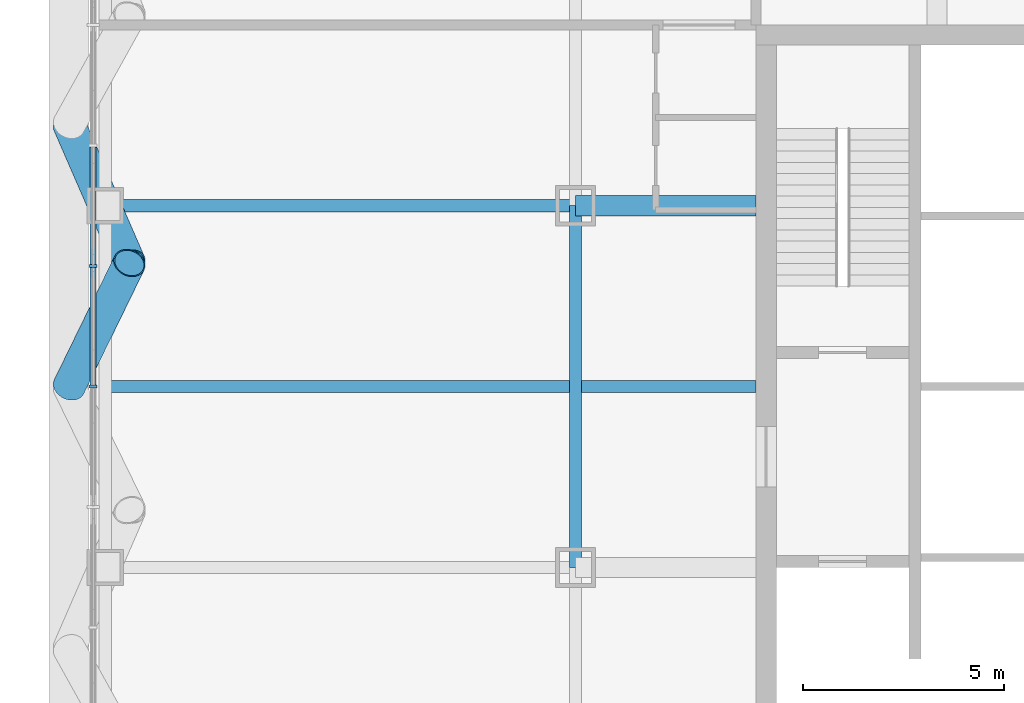
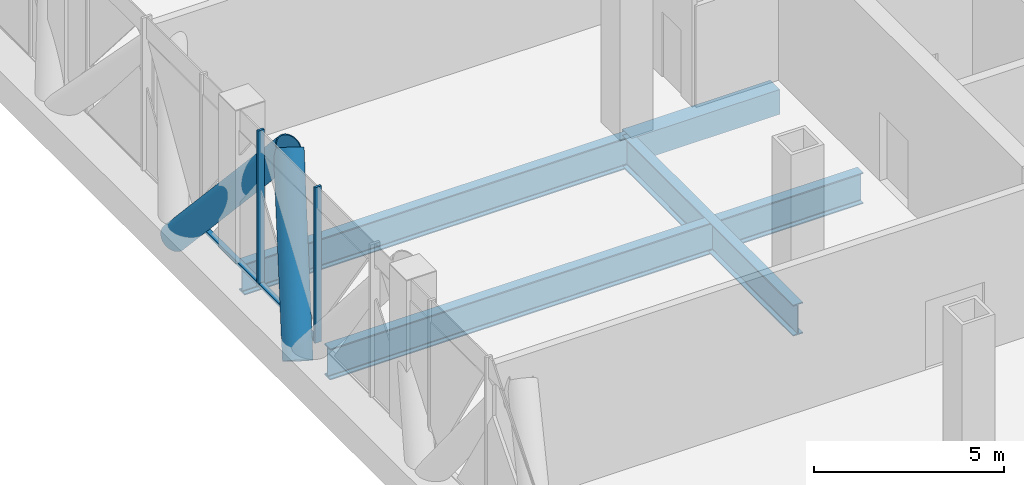
# One storey, part 6 of 26: 6 members, 4 beams, 1 element without a shape of its own.
"""IFC4 building model written with IfcOpenShell, lengths in metres."""

import ifcopenshell
import ifcopenshell.guid

model = None  # the IFC model being written
_history = None  # IfcOwnerHistory: only IFC2X3 demands one
_inside = {}  # id of a spatial element -> (the spatial element, [elements in it])
_under = {}  # id of a project, library or spatial element -> (it, [spatial elements below it])
_declared = {}  # id of a project -> (the project, [libraries it declares])
_typed = {}  # id of a type object -> (the type object, [elements of that type])
_made_of = {}  # id of a material, layer set ... -> (it, [elements and type objects made of it])


def new_model(schema):
    """Start an empty IFC model of exactly this schema.

    Asked for "IFC4X3", IfcOpenShell would pick the latest addendum, in which some entities
    have other attributes; the version numbers below select the first issue.
    IFC2X3 requires an IfcOwnerHistory on every rooted entity: one is made here for all.
    """
    global model, _history
    if schema == "IFC4X3":
        model = ifcopenshell.file(schema_version=(4, 3, 0, 0))
    else:
        model = ifcopenshell.file(schema=schema)
    _inside.clear()
    _under.clear()
    _declared.clear()
    _typed.clear()
    _made_of.clear()
    _history = None
    if model.schema == "IFC2X3":
        org = make("IfcOrganization", Name="unknown")
        user = make(
            "IfcPersonAndOrganization",
            ThePerson=make("IfcPerson", FamilyName="unknown"),
            TheOrganization=org,
        )
        app = make(
            "IfcApplication",
            ApplicationDeveloper=org,
            Version="unknown",
            ApplicationFullName="unknown",
            ApplicationIdentifier="unknown",
        )
        _history = make(
            "IfcOwnerHistory",
            OwningUser=user,
            OwningApplication=app,
            ChangeAction="ADDED",
            CreationDate=0,
        )
    return model


def make(cls, **values):
    """One entity of the class cls with the attributes given. An attribute that is None is left unset."""
    return model.create_entity(
        cls, **{name: value for name, value in values.items() if value is not None}
    )


def rooted(cls, **values):
    """An entity with a GlobalId (a new one), such as an element, a storey or a relation."""
    return make(cls, GlobalId=ifcopenshell.guid.new(), OwnerHistory=_history, **values)


def si_unit(unit_type, name, prefix=None):
    """IfcSIUnit, for example si_unit("LENGTHUNIT", "METRE", prefix="MILLI")."""
    return make("IfcSIUnit", UnitType=unit_type, Prefix=prefix, Name=name)


def assignment(units):
    """IfcUnitAssignment: the units of a project."""
    return None if units is None else make("IfcUnitAssignment", Units=units)


def point(xyz):
    """IfcCartesianPoint."""
    return None if xyz is None else make("IfcCartesianPoint", Coordinates=xyz)


def direction(xyz):
    """IfcDirection."""
    return None if xyz is None else make("IfcDirection", DirectionRatios=xyz)


def frame(location, z_axis=None, x_axis=None):
    """IfcAxis2Placement3D, a coordinate frame: its origin and axes. An axis left out is left unset."""
    return make(
        "IfcAxis2Placement3D",
        Location=point(location),
        Axis=direction(z_axis),
        RefDirection=direction(x_axis),
    )


def frame_2d(location, x_axis=None):
    """IfcAxis2Placement2D, a coordinate frame in the plane: its origin and x axis."""
    return make(
        "IfcAxis2Placement2D", Location=point(location), RefDirection=direction(x_axis)
    )


def origin():
    """The frame at (0, 0, 0) with its axes left unset."""
    return frame((0.0, 0.0, 0.0))


def origin_2d():
    """The frame at (0, 0) in the plane with its x axis left unset."""
    return frame_2d((0.0, 0.0))


def place(relative_to, where):
    """IfcLocalPlacement: puts the frame where relative to a parent placement (None: the world)."""
    return make(
        "IfcLocalPlacement", PlacementRelTo=relative_to, RelativePlacement=where
    )


def context(
    kind, dimensions, precision=None, world=None, true_north=None, identifier=None
):
    """IfcGeometricRepresentationContext, for example the 3D "Model" context."""
    return make(
        "IfcGeometricRepresentationContext",
        ContextIdentifier=identifier,
        ContextType=kind,
        CoordinateSpaceDimension=dimensions,
        Precision=precision,
        WorldCoordinateSystem=world,
        TrueNorth=true_north,
    )


def subcontext(parent, identifier, kind, view, scale=None):
    """IfcGeometricRepresentationSubContext, for example "Body" below "Model"."""
    return make(
        "IfcGeometricRepresentationSubContext",
        ContextIdentifier=identifier,
        ContextType=kind,
        ParentContext=parent,
        TargetScale=scale,
        TargetView=view,
    )


def project(units=None, contexts=None):
    """IfcProject with its units and contexts."""
    return rooted(
        "IfcProject",
        Name="project",
        RepresentationContexts=contexts,
        UnitsInContext=assignment(units),
    )


def spatial(cls, under=None, at=None, **own):
    """A site, building, storey or space (cls), placed at a placement, below another one or the project."""
    s = rooted(cls, ObjectPlacement=at, **own)
    if under is not None:
        _under.setdefault(under.id(), (under, []))[1].append(s)
    return s


def profile(cls, at=None, kind="AREA", **sizes):
    """A parametric profile (cls). Its sizes go by their IFC names, for example OverallWidth=200.0."""
    return make(cls, ProfileType=kind, Position=at, **sizes)


def rectangle(**sizes):
    """IfcRectangleProfileDef."""
    return profile("IfcRectangleProfileDef", **sizes)


def hollow_rectangle(**sizes):
    """IfcRectangleHollowProfileDef."""
    return profile("IfcRectangleHollowProfileDef", **sizes)


def hollow_circle(**sizes):
    """IfcCircleHollowProfileDef."""
    return profile("IfcCircleHollowProfileDef", **sizes)


def i_section(**sizes):
    """IfcIShapeProfileDef."""
    return profile("IfcIShapeProfileDef", **sizes)


def extrude(swept, where, along, depth):
    """IfcExtrudedAreaSolid: the profile swept, set in the frame where, extruded along a direction by depth."""
    return make(
        "IfcExtrudedAreaSolid",
        SweptArea=swept,
        Position=where,
        ExtrudedDirection=direction(along),
        Depth=depth,
    )


def shape(context_of_items, identifier, shape_type, items):
    """IfcShapeRepresentation: the items that make up one representation, for example the "Body"."""
    return make(
        "IfcShapeRepresentation",
        ContextOfItems=context_of_items,
        RepresentationIdentifier=identifier,
        RepresentationType=shape_type,
        Items=items,
    )


def material(Name=None, Category=None):
    """IfcMaterial."""
    return make("IfcMaterial", Name=Name, Category=Category)


def layer(
    of_material, thickness, ventilated=None, Name=None, Category=None, Priority=None
):
    """IfcMaterialLayer: one layer of a wall or slab, of a material (None: an air gap)."""
    return make(
        "IfcMaterialLayer",
        Material=of_material,
        LayerThickness=thickness,
        IsVentilated=ventilated,
        Name=Name,
        Category=Category,
        Priority=Priority,
    )


def layer_set(layers, Name=None):
    """IfcMaterialLayerSet."""
    return make("IfcMaterialLayerSet", MaterialLayers=layers, LayerSetName=Name)


def material_profile(
    of_material, cross_section, Name=None, Category=None, Priority=None
):
    """IfcMaterialProfile: a cross section and its material."""
    return make(
        "IfcMaterialProfile",
        Name=Name,
        Material=of_material,
        Profile=cross_section,
        Priority=Priority,
        Category=Category,
    )


def profile_set(profiles, Name=None, composite=None):
    """IfcMaterialProfileSet."""
    return make(
        "IfcMaterialProfileSet",
        Name=Name,
        MaterialProfiles=profiles,
        CompositeProfile=composite,
    )


def made_of(thing, what):
    """Note that an element or type object is made of a material, layer set ...; save() writes the relation."""
    if what is not None:
        _made_of.setdefault(what.id(), (what, []))[1].append(thing)
    return thing


def type_object(cls, material=None, **own):
    """A type object (cls), such as IfcWallType, which elements share."""
    return made_of(rooted(cls, **own), material)


def element(
    cls,
    number,
    at=None,
    inside=None,
    cuts=None,
    type_object=None,
    material=None,
    context=None,
    identifier="Body",
    shape_type=None,
    held_by="IfcProductDefinitionShape",
    body=None,
    shapes=None,
    **own,
):
    """One element of the class cls, such as IfcWall. Its Tag is "e" and its number.

    at: its placement. inside: the storey or other place that contains it. cuts: it is an
    opening in that element (IfcRelVoidsElement). A single representation is given by context,
    identifier, shape_type and body (its items); several are given by shapes. held_by: the class
    of the entity that holds the representations. save() writes the other relations.
    """
    e = rooted(cls, Tag="e%d" % number, ObjectPlacement=at, **own)
    if body is not None:
        shapes = [shape(context, identifier, shape_type, body)]
    if shapes is not None:
        e.Representation = make(held_by, Representations=shapes)
    if inside is not None:
        _inside.setdefault(inside.id(), (inside, []))[1].append(e)
    if cuts is not None:
        rooted(
            "IfcRelVoidsElement", RelatingBuildingElement=cuts, RelatedOpeningElement=e
        )
    if type_object is not None:
        _typed.setdefault(type_object.id(), (type_object, []))[1].append(e)
    return made_of(e, material)


def aggregate(whole, parts):
    """IfcRelAggregates: a whole, such as a stair, and the parts it consists of."""
    return rooted("IfcRelAggregates", RelatingObject=whole, RelatedObjects=parts)


def save(model, path):
    """Write the relations noted so far, then the file.

    IfcRelAggregates (storeys below a building ...), IfcRelContainedInSpatialStructure (elements
    in a storey), IfcRelDefinesByType, IfcRelAssociatesMaterial and IfcRelDeclares: one each for
    every whole, place, type object, material and project.
    """
    for whole, parts in _under.values():
        aggregate(whole, parts)
    for where, things in _inside.values():
        rooted(
            "IfcRelContainedInSpatialStructure",
            RelatedElements=things,
            RelatingStructure=where,
        )
    for kind, things in _typed.values():
        rooted("IfcRelDefinesByType", RelatedObjects=things, RelatingType=kind)
    for what, things in _made_of.values():
        rooted("IfcRelAssociatesMaterial", RelatedObjects=things, RelatingMaterial=what)
    for by, libraries in _declared.values():
        rooted("IfcRelDeclares", RelatingContext=by, RelatedDefinitions=libraries)
    model.write(path)


model = new_model("IFC4")

# Units and contexts
model_context = context("Model", 3, precision=1e-05, world=origin(), true_north=direction((0.0, 1.0)))
body_context = subcontext(model_context, "Body", "Model", "MODEL_VIEW")
ifc_project = project(units=[si_unit("LENGTHUNIT", "METRE"), si_unit("AREAUNIT", "SQUARE_METRE"), si_unit("VOLUMEUNIT", "CUBIC_METRE"), si_unit("PLANEANGLEUNIT", "RADIAN"), si_unit("MASSUNIT", "GRAM", prefix="KILO")], contexts=[model_context])

# Site, building, storey
site_placement = place(None, origin())
site = spatial("IfcSite", under=ifc_project, at=site_placement, CompositionType="ELEMENT")
building_placement = place(site_placement, origin())
building = spatial("IfcBuilding", under=site, at=building_placement, Name="Malebo Sky Hospital", CompositionType="ELEMENT")
storey_placement = place(building_placement, frame((0.0, 0.0, 95.0)))
storey = spatial("IfcBuildingStorey", under=building, at=storey_placement, Name="L22", CompositionType="ELEMENT", Elevation=95.0)

# Curtain wall, members
ifc_material_1 = material(Name="Anodised aluminium, natural silver", Category="aluminium")
ifc_layer = layer(ifc_material_1, 0.25)
ifc_layer_set = layer_set([ifc_layer], Name="PLANT LOUVRE SCREEN")
curtain_wall_type = type_object("IfcCurtainWallType", Name="PLANT LOUVRE SCREEN", PredefinedType="NOTDEFINED", material=ifc_layer_set)
curtain_wall_placement = place(storey_placement, origin())
curtain_wall = element("IfcCurtainWall", 1, at=curtain_wall_placement, inside=storey, type_object=curtain_wall_type, Name="PLANT curtain wall W", PredefinedType="NOTDEFINED")
ifc_material_profile_1 = material_profile(ifc_material_1, rectangle(XDim=0.14990234375, YDim=0.10009765625, at=origin_2d()), Name="ALUMINIUM TRANSOM 150x100")
ifc_profile_set_1 = profile_set([ifc_material_profile_1], Name="Anodised aluminium, natural silver")
member_type_1 = type_object("IfcMemberType", Name="ALUMINIUM TRANSOM 150x100", PredefinedType="USERDEFINED", material=ifc_profile_set_1)
member_1_placement = place(storey_placement, frame((34.5, 62.03759765625, 0.050048828125), z_axis=(0.0, 1.0, 0.0), x_axis=(-1.0, 0.0, 0.0)))
member_1 = element("IfcMember", 2, at=member_1_placement, type_object=member_type_1, Name="Transom 8", ObjectType="TRANSOM", PredefinedType="USERDEFINED", context=body_context, shape_type="SweptSolid", body=[
    extrude(rectangle(XDim=0.14990234375, YDim=0.10009765625, at=origin_2d()), origin(), (0.0, 0.0, 1.0), 2.9248046875),
])
member_2_placement = place(storey_placement, frame((34.5, 65.03759765625, 0.050048828125), z_axis=(0.0, 1.0, 0.0), x_axis=(-1.0, 0.0, 0.0)))
member_2 = element("IfcMember", 3, at=member_2_placement, type_object=member_type_1, Name="Transom 9", ObjectType="TRANSOM", PredefinedType="USERDEFINED", context=body_context, shape_type="SweptSolid", body=[
    extrude(rectangle(XDim=0.14990234375, YDim=0.10009765625, at=origin_2d()), origin(), (0.0, 0.0, 1.0), 2.9248046875),
])

# Members
ifc_material_2 = material(Name="Steel S460", Category="steel")
ifc_material_profile_2 = material_profile(ifc_material_2, hollow_circle(Radius=0.406494140625, WallThickness=0.030029296875, at=origin_2d()), Name="CHS 813x30")
ifc_profile_set_2 = profile_set([ifc_material_profile_2], Name="Steel S460")
member_type_2 = type_object("IfcMemberType", Name="BELT TRUSS DIAGONAL CHS 813x30", PredefinedType="BRACE", material=ifc_profile_set_2)
member_3_placement = place(storey_placement, frame((33.89990234375, 68.52490234375, -0.39990234375), z_axis=(0.257421208857, -0.592060400775, 0.763674540013), x_axis=(0.917067992724, 0.398730857498, 0.0)))
element("IfcMember", 4, at=member_3_placement, inside=storey, type_object=member_type_2, Name="Belt truss diagonal W4.1 L22", PredefinedType="BRACE", context=body_context, shape_type="SweptSolid", body=[
    extrude(hollow_circle(Radius=0.406494140625, WallThickness=0.030029296875, at=origin_2d()), origin(), (0.0, 0.0, 1.0), 5.826904296875),
])
member_4_placement = place(storey_placement, frame((35.39990234375, 65.074951171875, 4.050048828125), z_axis=(-0.26722989666, -0.547812589262, -0.792773327867), x_axis=(0.898765702371, -0.438429255686, 0.0)))
element("IfcMember", 5, at=member_4_placement, inside=storey, type_object=member_type_2, Name="Belt truss diagonal W4.2 L22", PredefinedType="BRACE", context=body_context, shape_type="SweptSolid", body=[
    extrude(hollow_circle(Radius=0.406494140625, WallThickness=0.030029296875, at=origin_2d()), origin(), (0.0, 0.0, 1.0), 5.613037109375),
])

# Member
ifc_material_profile_3 = material_profile(ifc_material_1, rectangle(XDim=0.074951171875, YDim=0.199951171875, at=origin_2d()), Name="CW5 ALUMINIUM FIN MULLION 75x200")
ifc_profile_set_3 = profile_set([ifc_material_profile_3], Name="Anodised aluminium, natural silver")
member_type_3 = type_object("IfcMemberType", Name="CW5 ALUMINIUM FIN MULLION 75x200", PredefinedType="MULLION", material=ifc_profile_set_3)
member_5_placement = place(storey_placement, frame((34.5, 62.0, 0.0), z_axis=(0.0, 0.0, 1.0), x_axis=(0.0, 1.0, 0.0)))
member_5 = element("IfcMember", 6, at=member_5_placement, type_object=member_type_3, Name="Fin mullion 8", PredefinedType="MULLION", context=body_context, shape_type="SweptSolid", body=[
    extrude(rectangle(XDim=0.074951171875, YDim=0.199951171875, at=origin_2d()), origin(), (0.0, 0.0, 1.0), 5.0),
])

member_6_placement = place(storey_placement, frame((34.5, 65.0, 0.0), z_axis=(0.0, 0.0, 1.0), x_axis=(0.0, 1.0, 0.0)))
member_6 = element("IfcMember", 7, at=member_6_placement, type_object=member_type_3, Name="Fin mullion 9", PredefinedType="MULLION", context=body_context, shape_type="SweptSolid", body=[
    extrude(rectangle(XDim=0.074951171875, YDim=0.199951171875, at=origin_2d()), origin(), (0.0, 0.0, 1.0), 5.0),
])

aggregate(curtain_wall, [member_5, member_6, member_1, member_2])

# Beams
ifc_material_3 = material(Name="Steel S355", Category="steel")
ifc_material_profile_4 = material_profile(ifc_material_3, i_section(OverallWidth=0.300048828125, OverallDepth=1.0, WebThickness=0.01904296875, FlangeThickness=0.035888671875, FilletRadius=0.030029296875, at=origin_2d()), Name="HEB 1000")
ifc_profile_set_4 = profile_set([ifc_material_profile_4], Name="Steel S355")
beam_type_1 = type_object("IfcBeamType", Name="FLOOR BEAM HEB 1000", PredefinedType="BEAM", material=ifc_profile_set_4)
beam_1_placement = place(storey_placement, frame((34.800048828125, 62.0, -0.75), z_axis=(1.0, 0.0, 0.0), x_axis=(0.0, 1.0, 0.0)))
element("IfcBeam", 8, at=beam_1_placement, inside=storey, type_object=beam_type_1, Name="Beam 050 L22", PredefinedType="BEAM", context=body_context, shape_type="SweptSolid", body=[
    extrude(i_section(OverallWidth=0.300048828125, OverallDepth=1.0, WebThickness=0.01904296875, FlangeThickness=0.035888671875, FilletRadius=0.030029296875, at=origin_2d()), origin(), (0.0, 0.0, 1.0), 16.199951171875),
])
beam_2_placement = place(storey_placement, frame((34.800048828125, 66.5, -0.75), z_axis=(1.0, 0.0, 0.0), x_axis=(0.0, 1.0, 0.0)))
element("IfcBeam", 9, at=beam_2_placement, inside=storey, type_object=beam_type_1, Name="Beam 052 L22", PredefinedType="BEAM", context=body_context, shape_type="SweptSolid", body=[
    extrude(i_section(OverallWidth=0.300048828125, OverallDepth=1.0, WebThickness=0.01904296875, FlangeThickness=0.035888671875, FilletRadius=0.030029296875, at=origin_2d()), origin(), (0.0, 0.0, 1.0), 11.699951171875),
])
ifc_material_profile_5 = material_profile(ifc_material_2, hollow_rectangle(XDim=0.5, YDim=0.800048828125, WallThickness=0.0400390625, at=origin_2d()), Name="BOX 800x500x40")
ifc_profile_set_5 = profile_set([ifc_material_profile_5], Name="Steel S460")
beam_type_2 = type_object("IfcBeamType", Name="LINK BEAM BOX 800x500x40", PredefinedType="BEAM", material=ifc_profile_set_5)
beam_3_placement = place(storey_placement, frame((46.5, 66.5, -0.64990234375), z_axis=(1.0, 0.0, 0.0), x_axis=(0.0, 1.0, 0.0)))
element("IfcBeam", 10, at=beam_3_placement, inside=storey, type_object=beam_type_2, Name="Beam 053 L22", PredefinedType="BEAM", context=body_context, shape_type="SweptSolid", body=[
    extrude(hollow_rectangle(XDim=0.5, YDim=0.800048828125, WallThickness=0.0400390625, at=origin_2d()), origin(), (0.0, 0.0, 1.0), 4.5),
])
ifc_material_profile_6 = material_profile(ifc_material_3, i_section(OverallWidth=0.300048828125, OverallDepth=1.0, WebThickness=0.01904296875, FlangeThickness=0.035888671875, FilletRadius=0.030029296875, at=origin_2d()), Name="HEB 1000")
ifc_profile_set_6 = profile_set([ifc_material_profile_6], Name="Steel S355")
beam_type_3 = type_object("IfcBeamType", Name="RING GIRDER HEB 1000", PredefinedType="BEAM", material=ifc_profile_set_6)
beam_4_placement = place(storey_placement, frame((46.5, 57.5, -0.75), z_axis=(0.0, 1.0, 0.0), x_axis=(-1.0, 0.0, 0.0)))
element("IfcBeam", 11, at=beam_4_placement, inside=storey, type_object=beam_type_3, Name="Beam 009 L22", PredefinedType="BEAM", context=body_context, shape_type="SweptSolid", body=[
    extrude(i_section(OverallWidth=0.300048828125, OverallDepth=1.0, WebThickness=0.01904296875, FlangeThickness=0.035888671875, FilletRadius=0.030029296875, at=origin_2d()), origin(), (0.0, 0.0, 1.0), 9.0),
])

save(model, "model.ifc")
